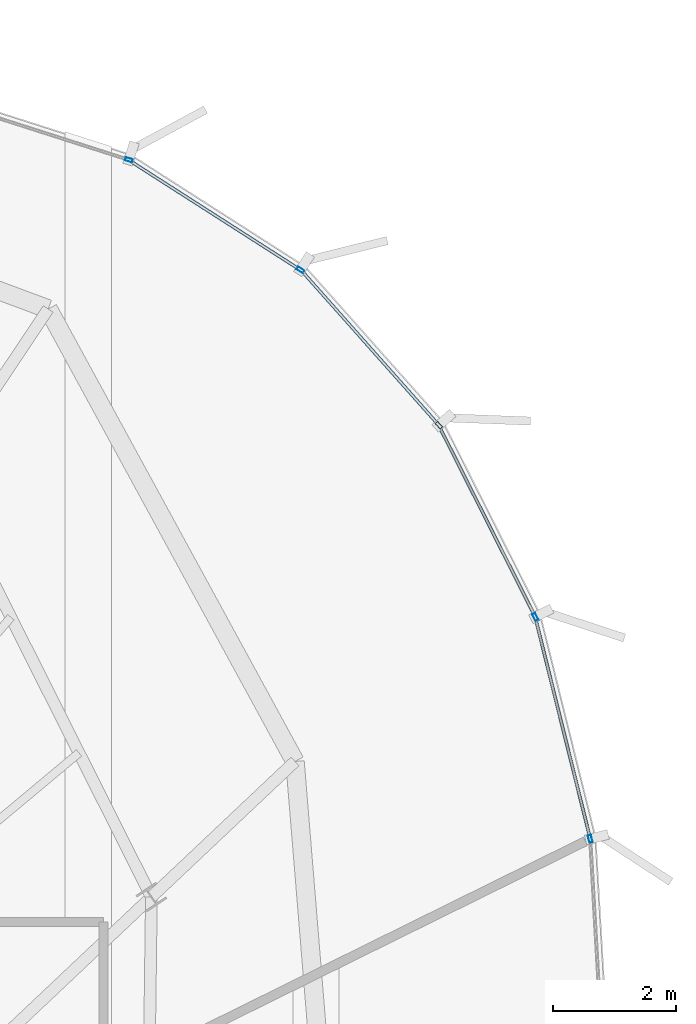
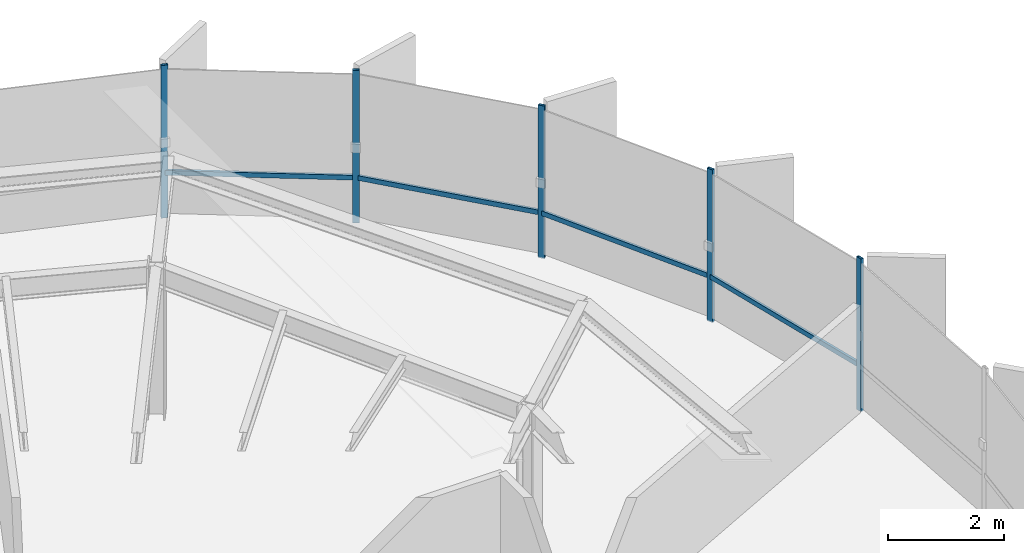
# One storey, part 24 of 33: 9 members, 2 elements without a shape of their own.
"""IFC4 building model written with IfcOpenShell, lengths in metres."""

from ifc_helpers import new_model, si_unit, direction, frame, origin, origin_2d, place, context, subcontext, project, spatial, hollow_rectangle, extrude, source, transform, mapped, material, layer, layer_set, material_profile, profile_set, type_object, element, aggregate, save


model = new_model("IFC4")

# Units and contexts
model_context = context("Model", 3, precision=1e-05, world=origin(), true_north=direction((0.0, 1.0)))
body_context = subcontext(model_context, "Body", "Model", "MODEL_VIEW")
ifc_project = project(units=[si_unit("LENGTHUNIT", "METRE"), si_unit("AREAUNIT", "SQUARE_METRE"), si_unit("VOLUMEUNIT", "CUBIC_METRE"), si_unit("PLANEANGLEUNIT", "RADIAN"), si_unit("MASSUNIT", "GRAM", prefix="KILO"), si_unit("THERMODYNAMICTEMPERATUREUNIT", "KELVIN")], contexts=[model_context])

# Site, building, storey
site_placement = place(None, origin())
site = spatial("IfcSite", under=ifc_project, at=site_placement, CompositionType="ELEMENT")
building_placement = place(site_placement, origin())
building = spatial("IfcBuilding", under=site, at=building_placement, Name="Kethvar Cultural Tower", CompositionType="ELEMENT")
storey_placement = place(building_placement, frame((0.0, 0.0, 235.300048828125)))
storey = spatial("IfcBuildingStorey", under=building, at=storey_placement, Name="L61", CompositionType="ELEMENT", Elevation=235.300048828125)

# Curtain wall, members
ifc_material = material(Name="Aluminium 6063-T6", Category="aluminium")
ifc_layer = layer(ifc_material, 0.179931640625, Name="Aluminium 6063-T6", Category="aluminium")
ifc_layer_set = layer_set([ifc_layer], Name="Aluminium 6063-T6 (180 mm)")
curtain_wall_type = type_object("IfcCurtainWallType", Name="CW-SYS-05-Z56", PredefinedType="NOTDEFINED", material=ifc_layer_set)
curtain_wall_1_placement = place(storey_placement, origin())
curtain_wall_1 = element("IfcCurtainWall", 1, at=curtain_wall_1_placement, inside=storey, type_object=curtain_wall_type, Name="L61 Curtain Wall Run 01", PredefinedType="NOTDEFINED")
ifc_material_profile_1 = material_profile(ifc_material, hollow_rectangle(XDim=0.054931640625, YDim=0.1201171875, WallThickness=0.00390625, at=origin_2d()), Name="Aluminium 6063-T6 — RHS120x55x4")
ifc_profile_set_1 = profile_set([ifc_material_profile_1], Name="Aluminium 6063-T6 — RHS120x55x4")
member_type_1 = type_object("IfcMemberType", Name="CW-SYS-05-Z56-MUL", PredefinedType="MULLION", material=ifc_profile_set_1)
shared_shape_1 = source(origin(), body_context, "Body", "SweptSolid", [
    extrude(hollow_rectangle(XDim=0.054931640625, YDim=0.1201171875, WallThickness=0.00390625, at=origin_2d()), origin(), (0.0, 0.0, 1.0), 3.2099609375),
])
member_1_placement = place(storey_placement, frame((63.740966796875, 47.668701171875, 0.0), z_axis=(0.0, 0.0, 1.0), x_axis=(-0.539197119452, -0.842179592708, 0.0)))
member_1 = element("IfcMember", 2, at=member_1_placement, type_object=member_type_1, Name="CW-L61-R01 Mullion 1", PredefinedType="MULLION", context=body_context, shape_type="MappedRepresentation", body=[
    mapped(shared_shape_1, transform((0.0, 0.0, 0.0), scale=1.0)),
])
member_2_placement = place(storey_placement, frame((60.960693359375, 49.452880859375, 0.0), z_axis=(0.0, 0.0, 1.0), x_axis=(-0.30506376165, -0.952331928126, 0.0)))
member_2 = element("IfcMember", 3, at=member_2_placement, type_object=member_type_1, Name="CW-L61-R01 Mullion 2", PredefinedType="MULLION", context=body_context, shape_type="MappedRepresentation", body=[
    mapped(shared_shape_1, transform((0.0, 0.0, 0.0), scale=1.0)),
])

curtain_wall_2_placement = place(storey_placement, origin())
curtain_wall_2 = element("IfcCurtainWall", 4, at=curtain_wall_2_placement, inside=storey, type_object=curtain_wall_type, Name="L61 Curtain Wall Run 06", PredefinedType="NOTDEFINED")
member_3_placement = place(storey_placement, frame((68.439208984375, 38.4482421875, 0.0), z_axis=(0.0, 0.0, 1.0), x_axis=(-0.970527507541, -0.240990367248, 0.0)))
member_3 = element("IfcMember", 5, at=member_3_placement, type_object=member_type_1, Name="CW-L61-R06 Mullion 4", PredefinedType="MULLION", context=body_context, shape_type="MappedRepresentation", body=[
    mapped(shared_shape_1, transform((0.0, 0.0, 0.0), scale=1.0)),
])
member_4_placement = place(storey_placement, frame((67.548828125, 42.044677734375, 0.0), z_axis=(0.0, 0.0, 1.0), x_axis=(-0.89288465543, -0.450285456237, 0.0)))
member_4 = element("IfcMember", 6, at=member_4_placement, type_object=member_type_1, Name="CW-L61-R06 Mullion 5", PredefinedType="MULLION", context=body_context, shape_type="MappedRepresentation", body=[
    mapped(shared_shape_1, transform((0.0, 0.0, 0.0), scale=1.0)),
])
member_5_placement = place(storey_placement, frame((65.985595703125, 45.152099609375, 0.0), z_axis=(0.0, 0.0, 1.0), x_axis=(-0.747473545662, -0.664291576445, 0.0)))
member_5 = element("IfcMember", 7, at=member_5_placement, type_object=member_type_1, Name="CW-L61-R06 Mullion 6", PredefinedType="MULLION", context=body_context, shape_type="MappedRepresentation", body=[
    mapped(shared_shape_1, transform((0.0, 0.0, 0.0), scale=1.0)),
])

# Member
ifc_material_profile_2 = material_profile(ifc_material, hollow_rectangle(XDim=0.050048828125, YDim=0.10009765625, WallThickness=0.00390625, at=origin_2d()), Name="Aluminium 6063-T6 — RHS100x50x4")
ifc_profile_set_2 = profile_set([ifc_material_profile_2], Name="Aluminium 6063-T6 — RHS100x50x4")
member_type_2 = type_object("IfcMemberType", Name="CW-SYS-05-Z56-TRN", PredefinedType="USERDEFINED", material=ifc_profile_set_2)
shared_shape_2 = source(origin(), body_context, "Body", "SweptSolid", [
    extrude(hollow_rectangle(XDim=0.050048828125, YDim=0.10009765625, WallThickness=0.00390625, at=origin_2d()), origin(), (0.0, 0.0, 1.0), 3.28564453125),
])
member_6_placement = place(storey_placement, frame((63.73779296875, 47.6708984375, 0.949951171875), z_axis=(-0.8421958202, 0.539171772664, 0.0), x_axis=(-0.539171772664, -0.8421958202, 0.0)))
member_6 = element("IfcMember", 8, at=member_6_placement, type_object=member_type_2, Name="CW-L61-R01 Transom 1", ObjectType="TRANSOM", PredefinedType="USERDEFINED", context=body_context, shape_type="MappedRepresentation", body=[
    mapped(shared_shape_2, transform((0.0, 0.0, 0.0), scale=1.0)),
])

aggregate(curtain_wall_1, [member_1, member_2, member_6])

shared_shape_3 = source(origin(), body_context, "Body", "SweptSolid", [
    extrude(hollow_rectangle(XDim=0.050048828125, YDim=0.10009765625, WallThickness=0.00390625, at=origin_2d()), origin(), (0.0, 0.0, 1.0), 3.64794921875),
])
member_7_placement = place(storey_placement, frame((68.4296875, 38.486572265625, 0.949951171875), z_axis=(-0.240992137093, 0.970527068071, 0.0), x_axis=(-0.970527068071, -0.240992137093, 0.0)))
member_7 = element("IfcMember", 9, at=member_7_placement, type_object=member_type_2, Name="CW-L61-R06 Transom 4", ObjectType="TRANSOM", PredefinedType="USERDEFINED", context=body_context, shape_type="MappedRepresentation", body=[
    mapped(shared_shape_3, transform((0.0, 0.0, 0.0), scale=1.0)),
])

shared_shape_4 = source(origin(), body_context, "Body", "SweptSolid", [
    extrude(hollow_rectangle(XDim=0.050048828125, YDim=0.10009765625, WallThickness=0.00390625, at=origin_2d()), origin(), (0.0, 0.0, 1.0), 3.425048828125),
])
member_8_placement = place(storey_placement, frame((67.531005859375, 42.080078125, 0.949951171875), z_axis=(-0.450290340716, 0.89288219215, 0.0), x_axis=(-0.89288219215, -0.450290340716, 0.0)))
member_8 = element("IfcMember", 10, at=member_8_placement, type_object=member_type_2, Name="CW-L61-R06 Transom 5", ObjectType="TRANSOM", PredefinedType="USERDEFINED", context=body_context, shape_type="MappedRepresentation", body=[
    mapped(shared_shape_4, transform((0.0, 0.0, 0.0), scale=1.0)),
])

shared_shape_5 = source(origin(), body_context, "Body", "SweptSolid", [
    extrude(hollow_rectangle(XDim=0.050048828125, YDim=0.10009765625, WallThickness=0.00390625, at=origin_2d()), origin(), (0.0, 0.0, 1.0), 3.285400390625),
])
member_9_placement = place(storey_placement, frame((65.958984375, 45.181884765625, 0.949951171875), z_axis=(-0.664266972569, 0.747495410792, 0.0), x_axis=(-0.747495410792, -0.664266972569, 0.0)))
member_9 = element("IfcMember", 11, at=member_9_placement, type_object=member_type_2, Name="CW-L61-R06 Transom 6", ObjectType="TRANSOM", PredefinedType="USERDEFINED", context=body_context, shape_type="MappedRepresentation", body=[
    mapped(shared_shape_5, transform((0.0, 0.0, 0.0), scale=1.0)),
])

aggregate(curtain_wall_2, [member_3, member_4, member_5, member_7, member_8, member_9])

save(model, "model.ifc")
